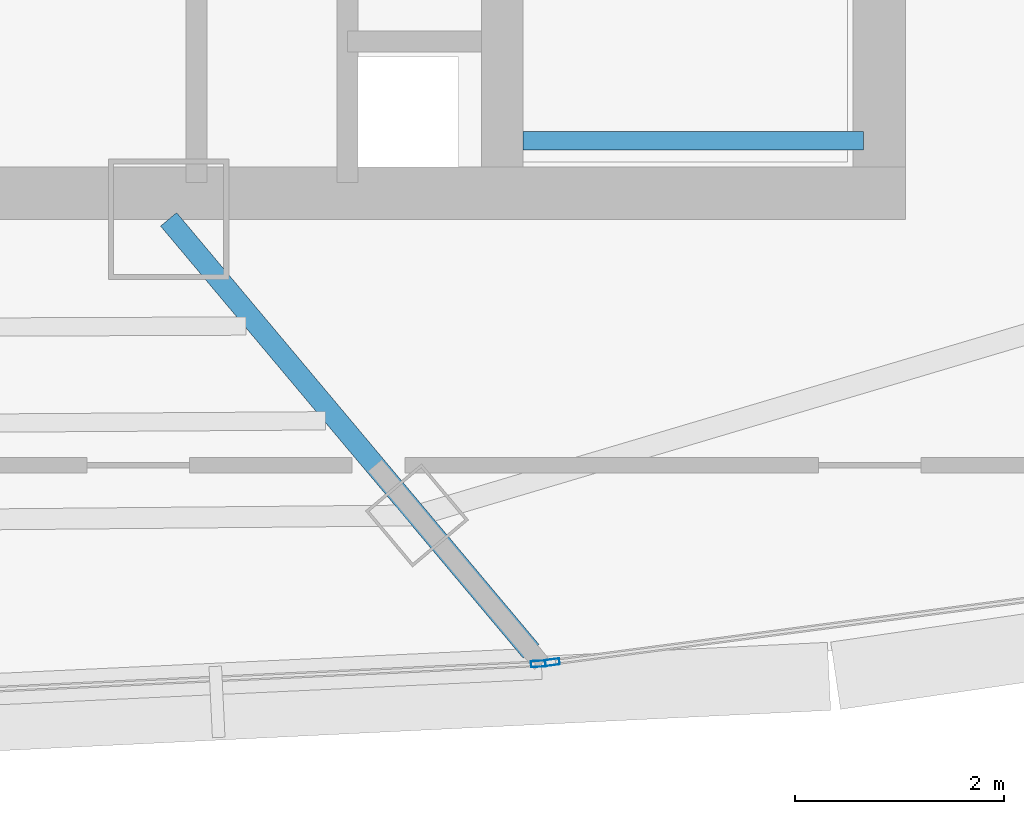
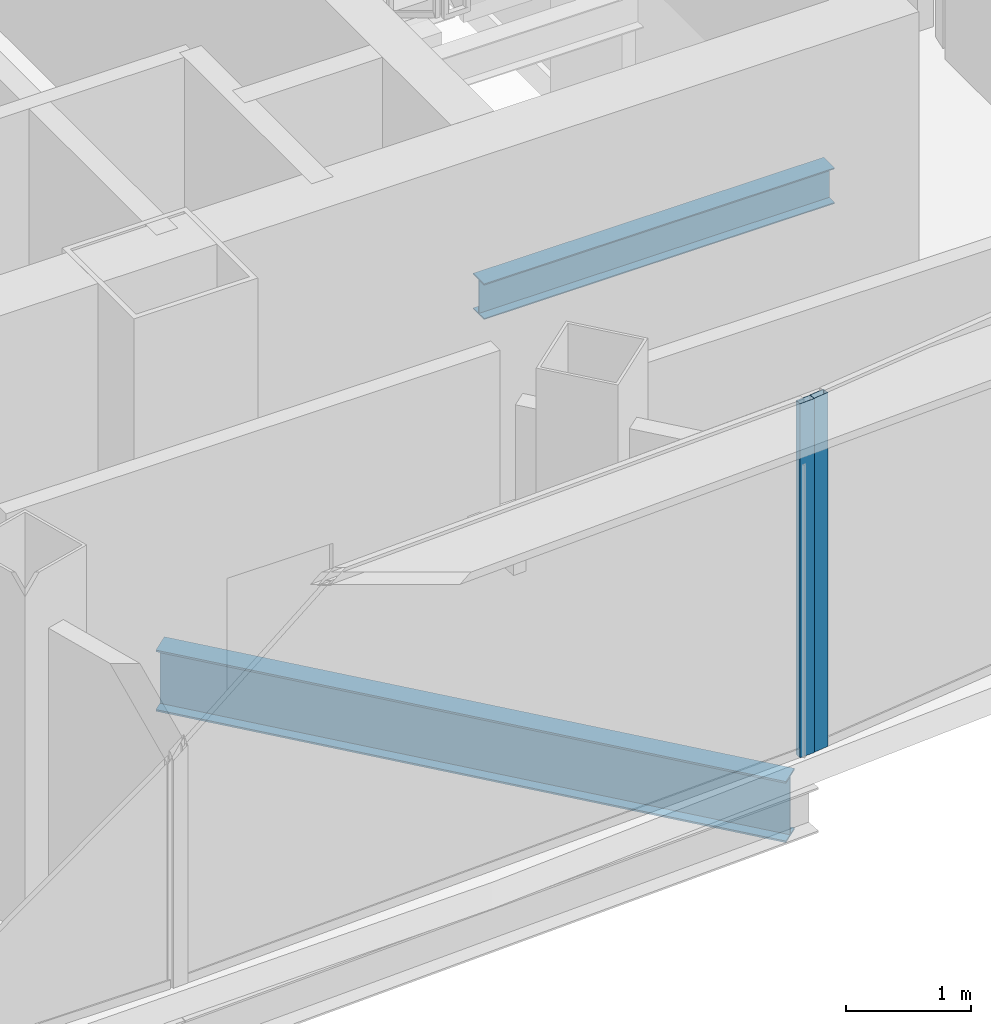
# One storey, part 10 of 29: 2 beams, 2 members, 2 elements without a shape of their own.
"""IFC4 building model written with IfcOpenShell, lengths in metres."""

from ifc_helpers import new_model, si_unit, direction, frame, origin, origin_2d, place, context, subcontext, project, spatial, hollow_rectangle, i_section, extrude, source, transform, mapped, material, layer, layer_set, material_profile, profile_set, type_object, element, aggregate, save


model = new_model("IFC4")

# Units and contexts
model_context = context("Model", 3, precision=1e-05, world=origin(), true_north=direction((0.0, 1.0)))
body_context = subcontext(model_context, "Body", "Model", "MODEL_VIEW")
ifc_project = project(units=[si_unit("LENGTHUNIT", "METRE"), si_unit("AREAUNIT", "SQUARE_METRE"), si_unit("VOLUMEUNIT", "CUBIC_METRE"), si_unit("PLANEANGLEUNIT", "RADIAN"), si_unit("MASSUNIT", "GRAM", prefix="KILO"), si_unit("THERMODYNAMICTEMPERATUREUNIT", "KELVIN"), si_unit("POWERUNIT", "WATT")], contexts=[model_context])

# Site, building, storey
site_placement = place(None, origin())
site = spatial("IfcSite", under=ifc_project, at=site_placement, CompositionType="ELEMENT")
building_placement = place(site_placement, origin())
building = spatial("IfcBuilding", under=site, at=building_placement, Name="Yunzhuo Pagoda Commons", CompositionType="ELEMENT")
storey_placement = place(building_placement, frame((0.0, 0.0, 363.010009765625)))
storey = spatial("IfcBuildingStorey", under=building, at=storey_placement, Name="L91", CompositionType="ELEMENT", Elevation=363.010009765625)

# Beams
ifc_material_1 = material(Name="Structural steel Q355B", Category="steel")
ifc_material_profile_1 = material_profile(ifc_material_1, i_section(OverallWidth=0.175048828125, OverallDepth=0.35009765625, WebThickness=0.007080078125, FlangeThickness=0.010986328125, at=origin_2d()), Name="Structural steel Q355B")
ifc_profile_set_1 = profile_set([ifc_material_profile_1], Name="Structural steel Q355B")
beam_type_1 = type_object("IfcBeamType", Name="B-JS2 Joist HN 350x175x7x11", PredefinedType="JOIST", material=ifc_profile_set_1)
shared_shape_1 = source(origin(), body_context, "Body", "SweptSolid", [
    extrude(i_section(OverallWidth=0.175048828125, OverallDepth=0.35009765625, WebThickness=0.007080078125, FlangeThickness=0.010986328125, at=origin_2d()), origin(), (0.0, 0.0, 1.0), 3.25),
])
beam_1_placement = place(storey_placement, frame((56.800048828125, 28.0, 1.5), z_axis=(1.0, 0.0, 0.0), x_axis=(0.0, 1.0, 0.0)))
element("IfcBeam", 1, at=beam_1_placement, inside=storey, type_object=beam_type_1, Name="L91 ST2 landing support beam 97A", PredefinedType="JOIST", context=body_context, shape_type="MappedRepresentation", body=[
    mapped(shared_shape_1, transform((0.0, 0.0, 0.0), scale=1.0)),
])
ifc_material_profile_2 = material_profile(ifc_material_1, i_section(OverallWidth=0.199951171875, OverallDepth=0.60009765625, WebThickness=0.010986328125, FlangeThickness=0.01708984375, at=origin_2d()), Name="Structural steel Q355B")
ifc_profile_set_2 = profile_set([ifc_material_profile_2], Name="Structural steel Q355B")
beam_type_2 = type_object("IfcBeamType", Name="B-RG3 Beam HN 600x200x11x17", PredefinedType="BEAM", material=ifc_profile_set_2)
shared_shape_2 = source(origin(), body_context, "Body", "SweptSolid", [
    extrude(i_section(OverallWidth=0.199951171875, OverallDepth=0.60009765625, WebThickness=0.010986328125, FlangeThickness=0.01708984375, at=origin_2d()), origin(), (0.0, 0.0, 1.0), 5.385986328125),
])
beam_2_placement = place(storey_placement, frame((56.874267578125, 23.124267578125, -0.56005859375), z_axis=(-0.642815681487, 0.766020887205, 0.0), x_axis=(-0.766020887205, -0.642815681487, 0.0)))
element("IfcBeam", 2, at=beam_2_placement, inside=storey, type_object=beam_type_2, Name="L91 radial floor girder F1C4", PredefinedType="BEAM", context=body_context, shape_type="MappedRepresentation", body=[
    mapped(shared_shape_2, transform((0.0, 0.0, 0.0), scale=1.0)),
])

# Curtain wall, member
ifc_material_2 = material(Name="Anodized aluminium 6063-T6", Category="aluminium")
ifc_layer = layer(ifc_material_2, 0.139892578125)
ifc_layer_set = layer_set([ifc_layer], Name="Anodized aluminium 6063-T6")
curtain_wall_type = type_object("IfcCurtainWallType", Name="CW-HI High-Zone Ribbon Curtain Wall", PredefinedType="NOTDEFINED", material=ifc_layer_set)
curtain_wall_1_placement = place(storey_placement, origin())
curtain_wall_1 = element("IfcCurtainWall", 3, at=curtain_wall_1_placement, inside=storey, type_object=curtain_wall_type, Name="L91 curtain wall CW-L91-F1B4", PredefinedType="NOTDEFINED")
ifc_material_profile_3 = material_profile(ifc_material_2, hollow_rectangle(XDim=0.06005859375, YDim=0.139892578125, WallThickness=0.00341796875, at=origin_2d()), Name="Anodized aluminium 6063-T6")
ifc_profile_set_3 = profile_set([ifc_material_profile_3], Name="Anodized aluminium 6063-T6")
member_type = type_object("IfcMemberType", Name="CW-HI-M Mullion RHS 140x60x3.5", PredefinedType="MULLION", material=ifc_profile_set_3)
shared_shape_3 = source(origin(), body_context, "Body", "SweptSolid", [
    extrude(hollow_rectangle(XDim=0.06005859375, YDim=0.139892578125, WallThickness=0.00341796875, at=origin_2d()), origin(), (0.0, 0.0, 1.0), 3.47021484375),
])
member_1_placement = place(storey_placement, frame((56.94384765625, 23.00390625, 0.0), z_axis=(0.0, 0.0, 1.0), x_axis=(-0.046711544825, 0.998908420017, 0.0)))
member_1 = element("IfcMember", 4, at=member_1_placement, type_object=member_type, Name="CW mullion 2", PredefinedType="MULLION", context=body_context, shape_type="MappedRepresentation", body=[
    mapped(shared_shape_3, transform((0.0, 0.0, 0.0), scale=1.0)),
])
aggregate(curtain_wall_1, [member_1])

curtain_wall_2_placement = place(storey_placement, origin())
curtain_wall_2 = element("IfcCurtainWall", 5, at=curtain_wall_2_placement, inside=storey, type_object=curtain_wall_type, Name="L91 curtain wall CW-L91-F1B5", PredefinedType="NOTDEFINED")
member_2_placement = place(storey_placement, frame((57.077880859375, 23.01904296875, 0.0), z_axis=(0.0, 0.0, 1.0), x_axis=(-0.130505551679, 0.991447578534, 0.0)))
member_2 = element("IfcMember", 6, at=member_2_placement, type_object=member_type, Name="CW mullion 1", PredefinedType="MULLION", context=body_context, shape_type="MappedRepresentation", body=[
    mapped(shared_shape_3, transform((0.0, 0.0, 0.0), scale=1.0)),
])
aggregate(curtain_wall_2, [member_2])

save(model, "model.ifc")
